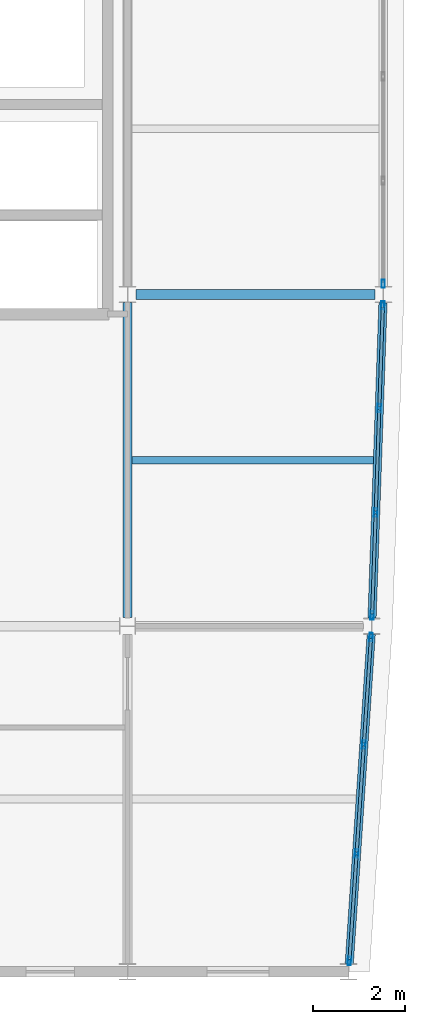
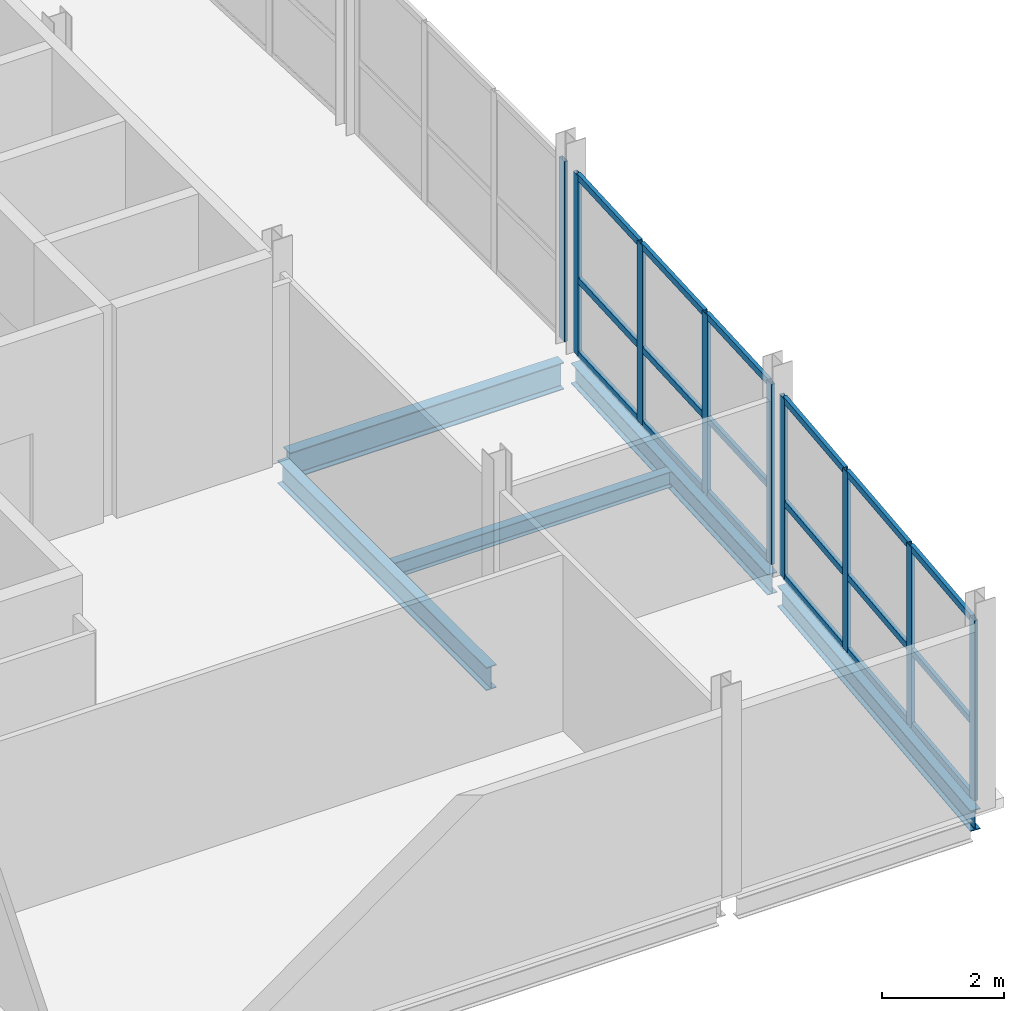
# One storey, part 2 of 17: 27 members, 5 beams, 3 elements without a shape of their own.
"""IFC4 building model written with IfcOpenShell, lengths in metres."""

from ifc_helpers import new_model, si_unit, direction, frame, origin, origin_2d, place, context, subcontext, project, spatial, hollow_rectangle, i_section, extrude, material, layer, layer_set, material_profile, profile_set, type_object, element, aggregate, save


model = new_model("IFC4")

# Units and contexts
model_context = context("Model", 3, precision=1e-05, world=origin(), true_north=direction((0.0, 1.0)))
body_context = subcontext(model_context, "Body", "Model", "MODEL_VIEW")
ifc_project = project(units=[si_unit("LENGTHUNIT", "METRE"), si_unit("AREAUNIT", "SQUARE_METRE"), si_unit("VOLUMEUNIT", "CUBIC_METRE"), si_unit("PLANEANGLEUNIT", "RADIAN"), si_unit("MASSUNIT", "GRAM", prefix="KILO")], contexts=[model_context])

# Site, building, storey
site_placement = place(None, origin())
site = spatial("IfcSite", under=ifc_project, at=site_placement, CompositionType="ELEMENT")
building_placement = place(site_placement, origin())
building = spatial("IfcBuilding", under=site, at=building_placement, Name="Quillay Park Conservatory", CompositionType="ELEMENT")
storey_placement = place(building_placement, frame((0.0, 0.0, 51.89990234375)))
storey = spatial("IfcBuildingStorey", under=building, at=storey_placement, Name="L12", CompositionType="ELEMENT", Elevation=51.89990234375)

# Beam
ifc_material_1 = material(Name="Steel ASTM A992 Grade 50", Category="steel")
ifc_material_profile_1 = material_profile(ifc_material_1, i_section(OverallWidth=0.166015625, OverallDepth=0.31298828125, WebThickness=0.006591796875, FlangeThickness=0.01123046875, FilletRadius=0.010009765625, at=origin_2d()), Name="W310x45")
ifc_profile_set_1 = profile_set([ifc_material_profile_1], Name="Steel ASTM A992 Grade 50")
beam_type_1 = type_object("IfcBeamType", Name="COMPOSITE FLOOR JOIST W310 X45", PredefinedType="JOIST", material=ifc_profile_set_1)
beam_1_placement = place(storey_placement, frame((19.845947265625, 81.60009765625, -0.3564453125), z_axis=(1.0, 0.0, 0.0), x_axis=(0.0, 1.0, 0.0)))
element("IfcBeam", 1, at=beam_1_placement, inside=storey, type_object=beam_type_1, Name="L12 beam BM-J-0857", PredefinedType="JOIST", context=body_context, shape_type="SweptSolid", body=[
    extrude(i_section(OverallWidth=0.166015625, OverallDepth=0.31298828125, WebThickness=0.006591796875, FlangeThickness=0.01123046875, FilletRadius=0.010009765625, at=origin_2d()), origin(), (0.0, 0.0, 1.0), 5.239013671875),
])

# Curtain wall, members
ifc_material_2 = material(Name="Thermally Broken Anodised Aluminium 6063-T6", Category="aluminium")
ifc_layer = layer(ifc_material_2, 0.179931640625)
ifc_layer_set = layer_set([ifc_layer], Name="UNITISED CURTAIN WALL TOWER (Thermally Broken Anodised Aluminium 6063-T6)")
curtain_wall_type = type_object("IfcCurtainWallType", Name="UNITISED CURTAIN WALL TOWER", PredefinedType="USERDEFINED", material=ifc_layer_set)
curtain_wall_1_placement = place(storey_placement, origin())
curtain_wall_1 = element("IfcCurtainWall", 2, at=curtain_wall_1_placement, inside=storey, type_object=curtain_wall_type, Name="L12 Unitised Curtain Wall 113", ObjectType="UNITISED CURTAIN WALL", PredefinedType="USERDEFINED")
ifc_material_3 = material(Name="Thermally Broken Anodised Aluminium 6063-T6", Category="aluminium")
ifc_material_profile_2 = material_profile(ifc_material_3, hollow_rectangle(XDim=0.070068359375, YDim=0.179931640625, WallThickness=0.00390625, at=origin_2d()), Name="AL70x180x4")
ifc_profile_set_2 = profile_set([ifc_material_profile_2], Name="Thermally Broken Anodised Aluminium 6063-T6")
member_type_1 = type_object("IfcMemberType", Name="CURTAIN WALL MULLION 70 X180", PredefinedType="MULLION", material=ifc_profile_set_2)
member_1_placement = place(storey_placement, frame((25.034423828125, 77.765380859375, 0.0), z_axis=(0.0, 0.0, 1.0), x_axis=(0.997785033503, -0.0665208758, 0.0)))
member_1 = element("IfcMember", 3, at=member_1_placement, type_object=member_type_1, Name="CW-T1 mullion 1", PredefinedType="MULLION", context=body_context, shape_type="SweptSolid", body=[
    extrude(hollow_rectangle(XDim=0.070068359375, YDim=0.179931640625, WallThickness=0.00390625, at=origin_2d()), origin(), (0.0, 0.0, 1.0), 3.59912109375),
])
member_2_placement = place(storey_placement, frame((24.87890625, 75.433349609375, 0.0), z_axis=(0.0, 0.0, 1.0), x_axis=(0.997785033503, -0.0665208758, 0.0)))
member_2 = element("IfcMember", 4, at=member_2_placement, type_object=member_type_1, Name="CW-T1 mullion 2", PredefinedType="MULLION", context=body_context, shape_type="SweptSolid", body=[
    extrude(hollow_rectangle(XDim=0.070068359375, YDim=0.179931640625, WallThickness=0.00390625, at=origin_2d()), origin(), (0.0, 0.0, 1.0), 3.59912109375),
])
member_3_placement = place(storey_placement, frame((24.72119140625, 73.066650390625, 0.0), z_axis=(0.0, 0.0, 1.0), x_axis=(0.997785033503, -0.0665208758, 0.0)))
member_3 = element("IfcMember", 5, at=member_3_placement, type_object=member_type_1, Name="CW-T1 mullion 3", PredefinedType="MULLION", context=body_context, shape_type="SweptSolid", body=[
    extrude(hollow_rectangle(XDim=0.070068359375, YDim=0.179931640625, WallThickness=0.00390625, at=origin_2d()), origin(), (0.0, 0.0, 1.0), 3.59912109375),
])
member_4_placement = place(storey_placement, frame((24.565673828125, 70.734619140625, 0.0), z_axis=(0.0, 0.0, 1.0), x_axis=(0.997785033503, -0.0665208758, 0.0)))
member_4 = element("IfcMember", 6, at=member_4_placement, type_object=member_type_1, Name="CW-T1 mullion 4", PredefinedType="MULLION", context=body_context, shape_type="SweptSolid", body=[
    extrude(hollow_rectangle(XDim=0.070068359375, YDim=0.179931640625, WallThickness=0.00390625, at=origin_2d()), origin(), (0.0, 0.0, 1.0), 3.59912109375),
])

curtain_wall_2_placement = place(storey_placement, origin())
curtain_wall_2 = element("IfcCurtainWall", 7, at=curtain_wall_2_placement, inside=storey, type_object=curtain_wall_type, Name="L12 Unitised Curtain Wall 114", ObjectType="UNITISED CURTAIN WALL", PredefinedType="USERDEFINED")
member_5_placement = place(storey_placement, frame((25.2919921875, 84.965087890625, 0.0), z_axis=(0.0, 0.0, 1.0), x_axis=(0.999397310446, -0.034713338537, 0.0)))
member_5 = element("IfcMember", 8, at=member_5_placement, type_object=member_type_1, Name="CW-T1 mullion 1", PredefinedType="MULLION", context=body_context, shape_type="SweptSolid", body=[
    extrude(hollow_rectangle(XDim=0.070068359375, YDim=0.179931640625, WallThickness=0.00390625, at=origin_2d()), origin(), (0.0, 0.0, 1.0), 3.59912109375),
])
member_6_placement = place(storey_placement, frame((25.21435546875, 82.7333984375, 0.0), z_axis=(0.0, 0.0, 1.0), x_axis=(0.999397310446, -0.034713338537, 0.0)))
member_6 = element("IfcMember", 9, at=member_6_placement, type_object=member_type_1, Name="CW-T1 mullion 2", PredefinedType="MULLION", context=body_context, shape_type="SweptSolid", body=[
    extrude(hollow_rectangle(XDim=0.070068359375, YDim=0.179931640625, WallThickness=0.00390625, at=origin_2d()), origin(), (0.0, 0.0, 1.0), 3.59912109375),
])
member_7_placement = place(storey_placement, frame((25.1357421875, 80.466552734375, 0.0), z_axis=(0.0, 0.0, 1.0), x_axis=(0.999397310446, -0.034713338537, 0.0)))
member_7 = element("IfcMember", 10, at=member_7_placement, type_object=member_type_1, Name="CW-T1 mullion 3", PredefinedType="MULLION", context=body_context, shape_type="SweptSolid", body=[
    extrude(hollow_rectangle(XDim=0.070068359375, YDim=0.179931640625, WallThickness=0.00390625, at=origin_2d()), origin(), (0.0, 0.0, 1.0), 3.59912109375),
])
member_8_placement = place(storey_placement, frame((25.05810546875, 78.23486328125, 0.0), z_axis=(0.0, 0.0, 1.0), x_axis=(0.999397310446, -0.034713338537, 0.0)))
member_8 = element("IfcMember", 11, at=member_8_placement, type_object=member_type_1, Name="CW-T1 mullion 4", PredefinedType="MULLION", context=body_context, shape_type="SweptSolid", body=[
    extrude(hollow_rectangle(XDim=0.070068359375, YDim=0.179931640625, WallThickness=0.00390625, at=origin_2d()), origin(), (0.0, 0.0, 1.0), 3.59912109375),
])

# Curtain wall, member
curtain_wall_3_placement = place(storey_placement, origin())
curtain_wall_3 = element("IfcCurtainWall", 12, at=curtain_wall_3_placement, inside=storey, type_object=curtain_wall_type, Name="L12 Unitised Curtain Wall 115", ObjectType="UNITISED CURTAIN WALL", PredefinedType="USERDEFINED")
member_9_placement = place(storey_placement, frame((25.300048828125, 85.43505859375, 0.0), z_axis=(0.0, 0.0, 1.0), x_axis=(1.0, 0.0, 0.0)))
member_9 = element("IfcMember", 13, at=member_9_placement, type_object=member_type_1, Name="CW-T1 mullion 4", PredefinedType="MULLION", context=body_context, shape_type="SweptSolid", body=[
    extrude(hollow_rectangle(XDim=0.070068359375, YDim=0.179931640625, WallThickness=0.00390625, at=origin_2d()), origin(), (0.0, 0.0, 1.0), 3.59912109375),
])
aggregate(curtain_wall_3, [member_9])

# Member
ifc_material_4 = material(Name="Thermally Broken Anodised Aluminium 6063-T6", Category="aluminium")
ifc_material_profile_3 = material_profile(ifc_material_4, hollow_rectangle(XDim=0.070068359375, YDim=0.1298828125, WallThickness=0.003173828125, at=origin_2d()), Name="AL70x130x3.2")
ifc_profile_set_3 = profile_set([ifc_material_profile_3], Name="Thermally Broken Anodised Aluminium 6063-T6")
member_type_2 = type_object("IfcMemberType", Name="CURTAIN WALL TRANSOM 70 X130", PredefinedType="USERDEFINED", material=ifc_profile_set_3)
member_10_placement = place(storey_placement, frame((25.031982421875, 77.73046875, 0.03515625), z_axis=(-0.066447531676, -0.997789920542, 0.0), x_axis=(0.997789920542, -0.066447531676, 0.0)))
member_10 = element("IfcMember", 14, at=member_10_placement, type_object=member_type_2, Name="CW-T1 transom 1.1", ObjectType="TRANSOM", PredefinedType="USERDEFINED", context=body_context, shape_type="SweptSolid", body=[
    extrude(hollow_rectangle(XDim=0.070068359375, YDim=0.1298828125, WallThickness=0.003173828125, at=origin_2d()), origin(), (0.0, 0.0, 1.0), 2.26708984375),
])

member_11_placement = place(storey_placement, frame((25.031982421875, 77.73046875, 1.51171875), z_axis=(-0.066447531676, -0.997789920542, 0.0), x_axis=(0.997789920542, -0.066447531676, 0.0)))
member_11 = element("IfcMember", 15, at=member_11_placement, type_object=member_type_2, Name="CW-T1 transom 1.2", ObjectType="TRANSOM", PredefinedType="USERDEFINED", context=body_context, shape_type="SweptSolid", body=[
    extrude(hollow_rectangle(XDim=0.070068359375, YDim=0.1298828125, WallThickness=0.003173828125, at=origin_2d()), origin(), (0.0, 0.0, 1.0), 2.26708984375),
])

member_12_placement = place(storey_placement, frame((25.031982421875, 77.73046875, 3.564208984375), z_axis=(-0.066447531676, -0.997789920542, 0.0), x_axis=(0.997789920542, -0.066447531676, 0.0)))
member_12 = element("IfcMember", 16, at=member_12_placement, type_object=member_type_2, Name="CW-T1 transom 1.3", ObjectType="TRANSOM", PredefinedType="USERDEFINED", context=body_context, shape_type="SweptSolid", body=[
    extrude(hollow_rectangle(XDim=0.070068359375, YDim=0.1298828125, WallThickness=0.003173828125, at=origin_2d()), origin(), (0.0, 0.0, 1.0), 2.26708984375),
])

member_13_placement = place(storey_placement, frame((24.87646484375, 75.3984375, 0.03515625), z_axis=(-0.066497892916, -0.997786565473, 0.0), x_axis=(0.997786565473, -0.066497892916, 0.0)))
member_13 = element("IfcMember", 17, at=member_13_placement, type_object=member_type_2, Name="CW-T1 transom 2.1", ObjectType="TRANSOM", PredefinedType="USERDEFINED", context=body_context, shape_type="SweptSolid", body=[
    extrude(hollow_rectangle(XDim=0.070068359375, YDim=0.1298828125, WallThickness=0.003173828125, at=origin_2d()), origin(), (0.0, 0.0, 1.0), 2.302001953125),
])

member_14_placement = place(storey_placement, frame((24.87646484375, 75.3984375, 1.51171875), z_axis=(-0.066497892916, -0.997786565473, 0.0), x_axis=(0.997786565473, -0.066497892916, 0.0)))
member_14 = element("IfcMember", 18, at=member_14_placement, type_object=member_type_2, Name="CW-T1 transom 2.2", ObjectType="TRANSOM", PredefinedType="USERDEFINED", context=body_context, shape_type="SweptSolid", body=[
    extrude(hollow_rectangle(XDim=0.070068359375, YDim=0.1298828125, WallThickness=0.003173828125, at=origin_2d()), origin(), (0.0, 0.0, 1.0), 2.302001953125),
])

member_15_placement = place(storey_placement, frame((24.87646484375, 75.3984375, 3.564208984375), z_axis=(-0.066497892916, -0.997786565473, 0.0), x_axis=(0.997786565473, -0.066497892916, 0.0)))
member_15 = element("IfcMember", 19, at=member_15_placement, type_object=member_type_2, Name="CW-T1 transom 2.3", ObjectType="TRANSOM", PredefinedType="USERDEFINED", context=body_context, shape_type="SweptSolid", body=[
    extrude(hollow_rectangle(XDim=0.070068359375, YDim=0.1298828125, WallThickness=0.003173828125, at=origin_2d()), origin(), (0.0, 0.0, 1.0), 2.302001953125),
])

member_16_placement = place(storey_placement, frame((24.71875, 73.031494140625, 0.03515625), z_axis=(-0.066554749564, -0.997782774611, 0.0), x_axis=(0.997782774611, -0.066554749564, 0.0)))
member_16 = element("IfcMember", 20, at=member_16_placement, type_object=member_type_2, Name="CW-T1 transom 3.1", ObjectType="TRANSOM", PredefinedType="USERDEFINED", context=body_context, shape_type="SweptSolid", body=[
    extrude(hollow_rectangle(XDim=0.070068359375, YDim=0.1298828125, WallThickness=0.003173828125, at=origin_2d()), origin(), (0.0, 0.0, 1.0), 2.26708984375),
])

member_17_placement = place(storey_placement, frame((24.71875, 73.031494140625, 1.51171875), z_axis=(-0.066554749564, -0.997782774611, 0.0), x_axis=(0.997782774611, -0.066554749564, 0.0)))
member_17 = element("IfcMember", 21, at=member_17_placement, type_object=member_type_2, Name="CW-T1 transom 3.2", ObjectType="TRANSOM", PredefinedType="USERDEFINED", context=body_context, shape_type="SweptSolid", body=[
    extrude(hollow_rectangle(XDim=0.070068359375, YDim=0.1298828125, WallThickness=0.003173828125, at=origin_2d()), origin(), (0.0, 0.0, 1.0), 2.26708984375),
])

member_18_placement = place(storey_placement, frame((24.71875, 73.031494140625, 3.564208984375), z_axis=(-0.066554749564, -0.997782774611, 0.0), x_axis=(0.997782774611, -0.066554749564, 0.0)))
member_18 = element("IfcMember", 22, at=member_18_placement, type_object=member_type_2, Name="CW-T1 transom 3.3", ObjectType="TRANSOM", PredefinedType="USERDEFINED", context=body_context, shape_type="SweptSolid", body=[
    extrude(hollow_rectangle(XDim=0.070068359375, YDim=0.1298828125, WallThickness=0.003173828125, at=origin_2d()), origin(), (0.0, 0.0, 1.0), 2.26708984375),
])

aggregate(curtain_wall_1, [member_1, member_2, member_3, member_4, member_10, member_11, member_12, member_13, member_14, member_15, member_16, member_17, member_18])

member_19_placement = place(storey_placement, frame((25.290771484375, 84.93017578125, 0.03515625), z_axis=(-0.034761587249, -0.999395633396, 0.0), x_axis=(0.999395633396, -0.034761587249, 0.0)))
member_19 = element("IfcMember", 23, at=member_19_placement, type_object=member_type_2, Name="CW-T1 transom 1.1", ObjectType="TRANSOM", PredefinedType="USERDEFINED", context=body_context, shape_type="SweptSolid", body=[
    extrude(hollow_rectangle(XDim=0.070068359375, YDim=0.1298828125, WallThickness=0.003173828125, at=origin_2d()), origin(), (0.0, 0.0, 1.0), 2.1630859375),
])

member_20_placement = place(storey_placement, frame((25.290771484375, 84.93017578125, 1.51171875), z_axis=(-0.034761587249, -0.999395633396, 0.0), x_axis=(0.999395633396, -0.034761587249, 0.0)))
member_20 = element("IfcMember", 24, at=member_20_placement, type_object=member_type_2, Name="CW-T1 transom 1.2", ObjectType="TRANSOM", PredefinedType="USERDEFINED", context=body_context, shape_type="SweptSolid", body=[
    extrude(hollow_rectangle(XDim=0.070068359375, YDim=0.1298828125, WallThickness=0.003173828125, at=origin_2d()), origin(), (0.0, 0.0, 1.0), 2.1630859375),
])

member_21_placement = place(storey_placement, frame((25.290771484375, 84.93017578125, 3.564208984375), z_axis=(-0.034761587249, -0.999395633396, 0.0), x_axis=(0.999395633396, -0.034761587249, 0.0)))
member_21 = element("IfcMember", 25, at=member_21_placement, type_object=member_type_2, Name="CW-T1 transom 1.3", ObjectType="TRANSOM", PredefinedType="USERDEFINED", context=body_context, shape_type="SweptSolid", body=[
    extrude(hollow_rectangle(XDim=0.070068359375, YDim=0.1298828125, WallThickness=0.003173828125, at=origin_2d()), origin(), (0.0, 0.0, 1.0), 2.1630859375),
])

member_22_placement = place(storey_placement, frame((25.213134765625, 82.698486328125, 0.03515625), z_axis=(-0.034653546152, -0.999399385501, 0.0), x_axis=(0.999399385501, -0.034653546152, 0.0)))
member_22 = element("IfcMember", 26, at=member_22_placement, type_object=member_type_2, Name="CW-T1 transom 2.1", ObjectType="TRANSOM", PredefinedType="USERDEFINED", context=body_context, shape_type="SweptSolid", body=[
    extrude(hollow_rectangle(XDim=0.070068359375, YDim=0.1298828125, WallThickness=0.003173828125, at=origin_2d()), origin(), (0.0, 0.0, 1.0), 2.197998046875),
])

member_23_placement = place(storey_placement, frame((25.213134765625, 82.698486328125, 1.51171875), z_axis=(-0.034653546152, -0.999399385501, 0.0), x_axis=(0.999399385501, -0.034653546152, 0.0)))
member_23 = element("IfcMember", 27, at=member_23_placement, type_object=member_type_2, Name="CW-T1 transom 2.2", ObjectType="TRANSOM", PredefinedType="USERDEFINED", context=body_context, shape_type="SweptSolid", body=[
    extrude(hollow_rectangle(XDim=0.070068359375, YDim=0.1298828125, WallThickness=0.003173828125, at=origin_2d()), origin(), (0.0, 0.0, 1.0), 2.197998046875),
])

member_24_placement = place(storey_placement, frame((25.213134765625, 82.698486328125, 3.564208984375), z_axis=(-0.034653546152, -0.999399385501, 0.0), x_axis=(0.999399385501, -0.034653546152, 0.0)))
member_24 = element("IfcMember", 28, at=member_24_placement, type_object=member_type_2, Name="CW-T1 transom 2.3", ObjectType="TRANSOM", PredefinedType="USERDEFINED", context=body_context, shape_type="SweptSolid", body=[
    extrude(hollow_rectangle(XDim=0.070068359375, YDim=0.1298828125, WallThickness=0.003173828125, at=origin_2d()), origin(), (0.0, 0.0, 1.0), 2.197998046875),
])

member_25_placement = place(storey_placement, frame((25.134521484375, 80.431640625, 0.03515625), z_axis=(-0.034761587249, -0.999395633396, 0.0), x_axis=(0.999395633396, -0.034761587249, 0.0)))
member_25 = element("IfcMember", 29, at=member_25_placement, type_object=member_type_2, Name="CW-T1 transom 3.1", ObjectType="TRANSOM", PredefinedType="USERDEFINED", context=body_context, shape_type="SweptSolid", body=[
    extrude(hollow_rectangle(XDim=0.070068359375, YDim=0.1298828125, WallThickness=0.003173828125, at=origin_2d()), origin(), (0.0, 0.0, 1.0), 2.1630859375),
])

member_26_placement = place(storey_placement, frame((25.134521484375, 80.431640625, 1.51171875), z_axis=(-0.034761587249, -0.999395633396, 0.0), x_axis=(0.999395633396, -0.034761587249, 0.0)))
member_26 = element("IfcMember", 30, at=member_26_placement, type_object=member_type_2, Name="CW-T1 transom 3.2", ObjectType="TRANSOM", PredefinedType="USERDEFINED", context=body_context, shape_type="SweptSolid", body=[
    extrude(hollow_rectangle(XDim=0.070068359375, YDim=0.1298828125, WallThickness=0.003173828125, at=origin_2d()), origin(), (0.0, 0.0, 1.0), 2.1630859375),
])

member_27_placement = place(storey_placement, frame((25.134521484375, 80.431640625, 3.564208984375), z_axis=(-0.034761587249, -0.999395633396, 0.0), x_axis=(0.999395633396, -0.034761587249, 0.0)))
member_27 = element("IfcMember", 31, at=member_27_placement, type_object=member_type_2, Name="CW-T1 transom 3.3", ObjectType="TRANSOM", PredefinedType="USERDEFINED", context=body_context, shape_type="SweptSolid", body=[
    extrude(hollow_rectangle(XDim=0.070068359375, YDim=0.1298828125, WallThickness=0.003173828125, at=origin_2d()), origin(), (0.0, 0.0, 1.0), 2.1630859375),
])

aggregate(curtain_wall_2, [member_5, member_6, member_7, member_8, member_19, member_20, member_21, member_22, member_23, member_24, member_25, member_26, member_27])

# Beams
ifc_material_5 = material(Name="Steel ASTM A992 Grade 50", Category="steel")
ifc_material_profile_4 = material_profile(ifc_material_5, i_section(OverallWidth=0.179931640625, OverallDepth=0.4130859375, WebThickness=0.009765625, FlangeThickness=0.01611328125, FilletRadius=0.011962890625, at=origin_2d()), Name="W410x74")
ifc_profile_set_4 = profile_set([ifc_material_profile_4], Name="Steel ASTM A992 Grade 50")
beam_type_2 = type_object("IfcBeamType", Name="PERIMETER SPANDREL BEAM W410 X74", PredefinedType="SPANDREL", material=ifc_profile_set_4)
beam_2_placement = place(storey_placement, frame((24.561767578125, 70.677490234375, -0.406494140625), z_axis=(0.066516747669, 0.997785308711, 0.0), x_axis=(-0.997785308711, 0.066516747669, 0.0)))
element("IfcBeam", 32, at=beam_2_placement, inside=storey, type_object=beam_type_2, Name="L12 beam BM-SPE-0846", PredefinedType="SPANDREL", context=body_context, shape_type="SweptSolid", body=[
    extrude(i_section(OverallWidth=0.179931640625, OverallDepth=0.4130859375, WebThickness=0.009765625, FlangeThickness=0.01611328125, FilletRadius=0.011962890625, at=origin_2d()), origin(), (0.0, 0.0, 1.0), 7.160888671875),
])
beam_3_placement = place(storey_placement, frame((25.05615234375, 78.177978515625, -0.406494140625), z_axis=(0.034686968465, 0.999398226043, 0.0), x_axis=(-0.999398226043, 0.034686968465, 0.0)))
element("IfcBeam", 33, at=beam_3_placement, inside=storey, type_object=beam_type_2, Name="L12 beam BM-SPE-0853", PredefinedType="SPANDREL", context=body_context, shape_type="SweptSolid", body=[
    extrude(i_section(OverallWidth=0.179931640625, OverallDepth=0.4130859375, WebThickness=0.009765625, FlangeThickness=0.01611328125, FilletRadius=0.011962890625, at=origin_2d()), origin(), (0.0, 0.0, 1.0), 6.848388671875),
])
ifc_material_6 = material(Name="Steel ASTM A992 Grade 50", Category="steel")
ifc_material_profile_5 = material_profile(ifc_material_6, i_section(OverallWidth=0.19189453125, OverallDepth=0.462890625, WebThickness=0.010498046875, FlangeThickness=0.017578125, FilletRadius=0.012939453125, at=origin_2d()), Name="W460x89")
ifc_profile_set_5 = profile_set([ifc_material_profile_5], Name="Steel ASTM A992 Grade 50")
beam_type_3 = type_object("IfcBeamType", Name="PRIMARY FLOOR GIRDER W460 X89", PredefinedType="BEAM", material=ifc_profile_set_5)
beam_4_placement = place(storey_placement, frame((19.75, 78.1845703125, -0.431396484375), z_axis=(0.0, 1.0, 0.0), x_axis=(-1.0, 0.0, 0.0)))
element("IfcBeam", 34, at=beam_4_placement, inside=storey, type_object=beam_type_3, Name="L12 beam BM-GNS-0855", PredefinedType="BEAM", context=body_context, shape_type="SweptSolid", body=[
    extrude(i_section(OverallWidth=0.19189453125, OverallDepth=0.462890625, WebThickness=0.010498046875, FlangeThickness=0.017578125, FilletRadius=0.012939453125, at=origin_2d()), origin(), (0.0, 0.0, 1.0), 6.83740234375),
])
ifc_material_7 = material(Name="Steel ASTM A992 Grade 50", Category="steel")
ifc_material_profile_6 = material_profile(ifc_material_7, i_section(OverallWidth=0.2109375, OverallDepth=0.5390625, WebThickness=0.01171875, FlangeThickness=0.018798828125, FilletRadius=0.013916015625, at=origin_2d()), Name="W530x109")
ifc_profile_set_6 = profile_set([ifc_material_profile_6], Name="Steel ASTM A992 Grade 50")
beam_type_4 = type_object("IfcBeamType", Name="PRIMARY FLOOR GIRDER W530 X109", PredefinedType="BEAM", material=ifc_profile_set_6)
beam_5_placement = place(storey_placement, frame((19.9345703125, 85.199951171875, -0.469482421875), z_axis=(1.0, 0.0, 0.0), x_axis=(0.0, 1.0, 0.0)))
element("IfcBeam", 35, at=beam_5_placement, inside=storey, type_object=beam_type_4, Name="L12 beam BM-G-0833", PredefinedType="BEAM", context=body_context, shape_type="SweptSolid", body=[
    extrude(i_section(OverallWidth=0.2109375, OverallDepth=0.5390625, WebThickness=0.01171875, FlangeThickness=0.018798828125, FilletRadius=0.013916015625, at=origin_2d()), origin(), (0.0, 0.0, 1.0), 5.180908203125),
])

save(model, "model.ifc")
